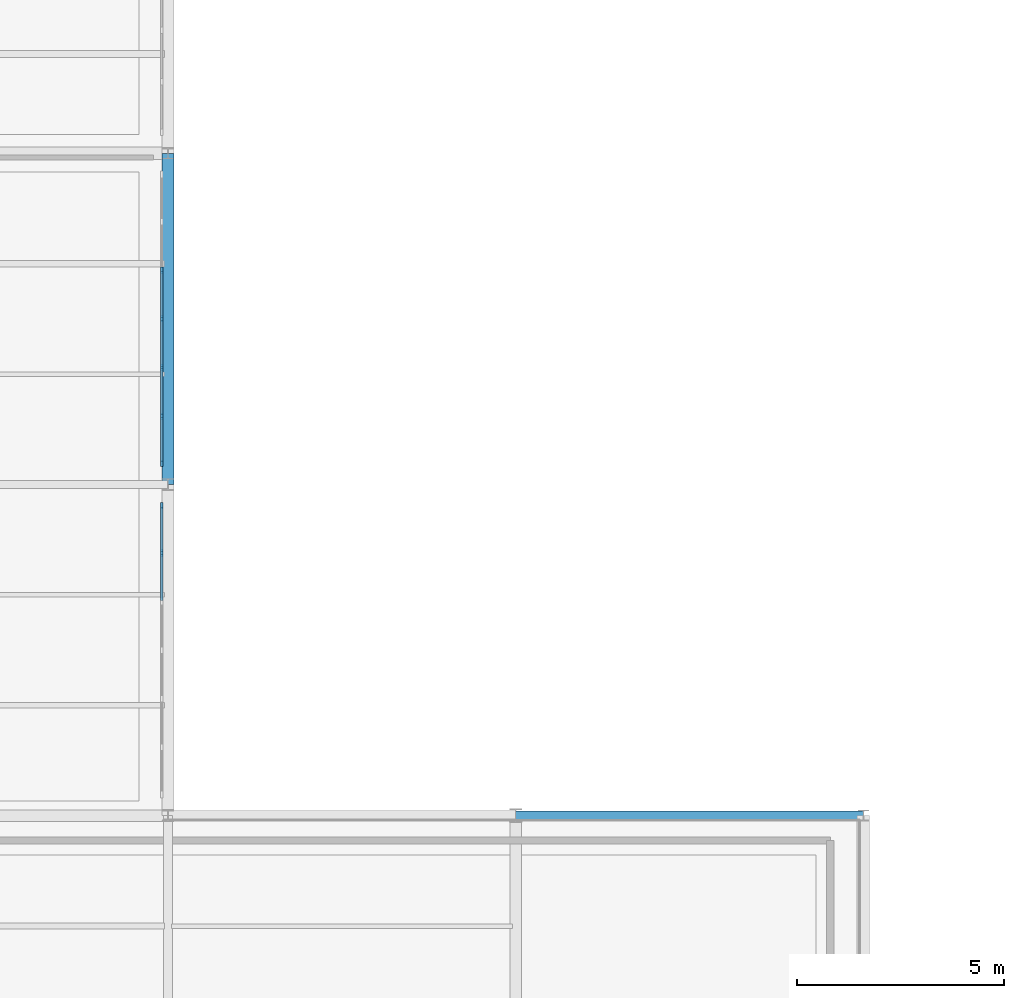
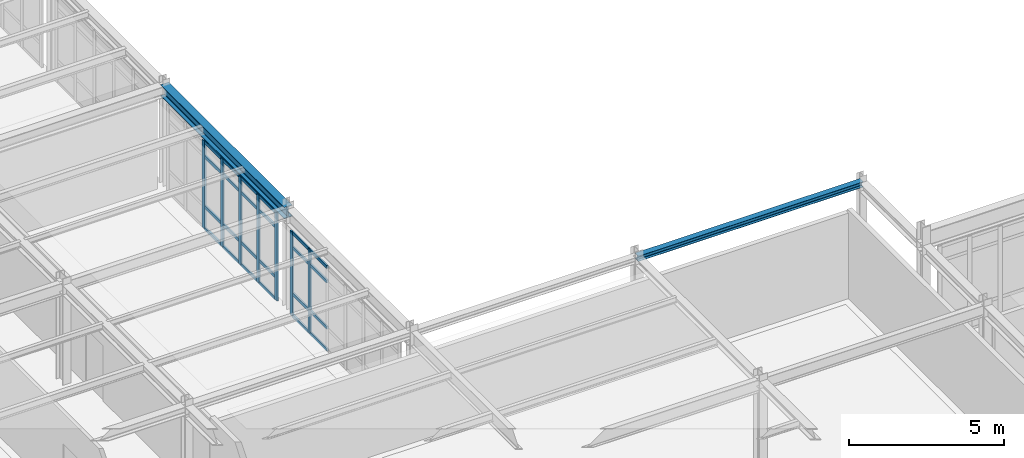
# One storey, part 40 of 90: 31 members, 2 beams, 2 elements without a shape of their own.
"""IFC4 building model written with IfcOpenShell, lengths in metres."""

import ifcopenshell
import ifcopenshell.guid

model = None  # the IFC model being written
_history = None  # IfcOwnerHistory: only IFC2X3 demands one
_inside = {}  # id of a spatial element -> (the spatial element, [elements in it])
_under = {}  # id of a project, library or spatial element -> (it, [spatial elements below it])
_declared = {}  # id of a project -> (the project, [libraries it declares])
_typed = {}  # id of a type object -> (the type object, [elements of that type])
_made_of = {}  # id of a material, layer set ... -> (it, [elements and type objects made of it])


def new_model(schema):
    """Start an empty IFC model of exactly this schema.

    Asked for "IFC4X3", IfcOpenShell would pick the latest addendum, in which some entities
    have other attributes; the version numbers below select the first issue.
    IFC2X3 requires an IfcOwnerHistory on every rooted entity: one is made here for all.
    """
    global model, _history
    if schema == "IFC4X3":
        model = ifcopenshell.file(schema_version=(4, 3, 0, 0))
    else:
        model = ifcopenshell.file(schema=schema)
    _inside.clear()
    _under.clear()
    _declared.clear()
    _typed.clear()
    _made_of.clear()
    _history = None
    if model.schema == "IFC2X3":
        org = make("IfcOrganization", Name="unknown")
        user = make(
            "IfcPersonAndOrganization",
            ThePerson=make("IfcPerson", FamilyName="unknown"),
            TheOrganization=org,
        )
        app = make(
            "IfcApplication",
            ApplicationDeveloper=org,
            Version="unknown",
            ApplicationFullName="unknown",
            ApplicationIdentifier="unknown",
        )
        _history = make(
            "IfcOwnerHistory",
            OwningUser=user,
            OwningApplication=app,
            ChangeAction="ADDED",
            CreationDate=0,
        )
    return model


def make(cls, **values):
    """One entity of the class cls with the attributes given. An attribute that is None is left unset."""
    return model.create_entity(
        cls, **{name: value for name, value in values.items() if value is not None}
    )


def rooted(cls, **values):
    """An entity with a GlobalId (a new one), such as an element, a storey or a relation."""
    return make(cls, GlobalId=ifcopenshell.guid.new(), OwnerHistory=_history, **values)


def si_unit(unit_type, name, prefix=None):
    """IfcSIUnit, for example si_unit("LENGTHUNIT", "METRE", prefix="MILLI")."""
    return make("IfcSIUnit", UnitType=unit_type, Prefix=prefix, Name=name)


def derived_unit(unit_type, elements):
    """IfcDerivedUnit: a product of units, each with its exponent."""
    return make(
        "IfcDerivedUnit",
        Elements=[
            make("IfcDerivedUnitElement", Unit=unit, Exponent=power)
            for unit, power in elements
        ],
        UnitType=unit_type,
    )


def assignment(units):
    """IfcUnitAssignment: the units of a project."""
    return None if units is None else make("IfcUnitAssignment", Units=units)


def point(xyz):
    """IfcCartesianPoint."""
    return None if xyz is None else make("IfcCartesianPoint", Coordinates=xyz)


def direction(xyz):
    """IfcDirection."""
    return None if xyz is None else make("IfcDirection", DirectionRatios=xyz)


def frame(location, z_axis=None, x_axis=None):
    """IfcAxis2Placement3D, a coordinate frame: its origin and axes. An axis left out is left unset."""
    return make(
        "IfcAxis2Placement3D",
        Location=point(location),
        Axis=direction(z_axis),
        RefDirection=direction(x_axis),
    )


def frame_2d(location, x_axis=None):
    """IfcAxis2Placement2D, a coordinate frame in the plane: its origin and x axis."""
    return make(
        "IfcAxis2Placement2D", Location=point(location), RefDirection=direction(x_axis)
    )


def origin():
    """The frame at (0, 0, 0) with its axes left unset."""
    return frame((0.0, 0.0, 0.0))


def origin_2d():
    """The frame at (0, 0) in the plane with its x axis left unset."""
    return frame_2d((0.0, 0.0))


def place(relative_to, where):
    """IfcLocalPlacement: puts the frame where relative to a parent placement (None: the world)."""
    return make(
        "IfcLocalPlacement", PlacementRelTo=relative_to, RelativePlacement=where
    )


def context(
    kind, dimensions, precision=None, world=None, true_north=None, identifier=None
):
    """IfcGeometricRepresentationContext, for example the 3D "Model" context."""
    return make(
        "IfcGeometricRepresentationContext",
        ContextIdentifier=identifier,
        ContextType=kind,
        CoordinateSpaceDimension=dimensions,
        Precision=precision,
        WorldCoordinateSystem=world,
        TrueNorth=true_north,
    )


def subcontext(parent, identifier, kind, view, scale=None):
    """IfcGeometricRepresentationSubContext, for example "Body" below "Model"."""
    return make(
        "IfcGeometricRepresentationSubContext",
        ContextIdentifier=identifier,
        ContextType=kind,
        ParentContext=parent,
        TargetScale=scale,
        TargetView=view,
    )


def project(units=None, contexts=None):
    """IfcProject with its units and contexts."""
    return rooted(
        "IfcProject",
        Name="project",
        RepresentationContexts=contexts,
        UnitsInContext=assignment(units),
    )


def spatial(cls, under=None, at=None, **own):
    """A site, building, storey or space (cls), placed at a placement, below another one or the project."""
    s = rooted(cls, ObjectPlacement=at, **own)
    if under is not None:
        _under.setdefault(under.id(), (under, []))[1].append(s)
    return s


def profile(cls, at=None, kind="AREA", **sizes):
    """A parametric profile (cls). Its sizes go by their IFC names, for example OverallWidth=200.0."""
    return make(cls, ProfileType=kind, Position=at, **sizes)


def rectangle(**sizes):
    """IfcRectangleProfileDef."""
    return profile("IfcRectangleProfileDef", **sizes)


def i_section(**sizes):
    """IfcIShapeProfileDef."""
    return profile("IfcIShapeProfileDef", **sizes)


def extrude(swept, where, along, depth):
    """IfcExtrudedAreaSolid: the profile swept, set in the frame where, extruded along a direction by depth."""
    return make(
        "IfcExtrudedAreaSolid",
        SweptArea=swept,
        Position=where,
        ExtrudedDirection=direction(along),
        Depth=depth,
    )


def shape(context_of_items, identifier, shape_type, items):
    """IfcShapeRepresentation: the items that make up one representation, for example the "Body"."""
    return make(
        "IfcShapeRepresentation",
        ContextOfItems=context_of_items,
        RepresentationIdentifier=identifier,
        RepresentationType=shape_type,
        Items=items,
    )


def material(Name=None, Category=None):
    """IfcMaterial."""
    return make("IfcMaterial", Name=Name, Category=Category)


def layer(
    of_material, thickness, ventilated=None, Name=None, Category=None, Priority=None
):
    """IfcMaterialLayer: one layer of a wall or slab, of a material (None: an air gap)."""
    return make(
        "IfcMaterialLayer",
        Material=of_material,
        LayerThickness=thickness,
        IsVentilated=ventilated,
        Name=Name,
        Category=Category,
        Priority=Priority,
    )


def layer_set(layers, Name=None):
    """IfcMaterialLayerSet."""
    return make("IfcMaterialLayerSet", MaterialLayers=layers, LayerSetName=Name)


def material_profile(
    of_material, cross_section, Name=None, Category=None, Priority=None
):
    """IfcMaterialProfile: a cross section and its material."""
    return make(
        "IfcMaterialProfile",
        Name=Name,
        Material=of_material,
        Profile=cross_section,
        Priority=Priority,
        Category=Category,
    )


def profile_set(profiles, Name=None, composite=None):
    """IfcMaterialProfileSet."""
    return make(
        "IfcMaterialProfileSet",
        Name=Name,
        MaterialProfiles=profiles,
        CompositeProfile=composite,
    )


def made_of(thing, what):
    """Note that an element or type object is made of a material, layer set ...; save() writes the relation."""
    if what is not None:
        _made_of.setdefault(what.id(), (what, []))[1].append(thing)
    return thing


def type_object(cls, material=None, **own):
    """A type object (cls), such as IfcWallType, which elements share."""
    return made_of(rooted(cls, **own), material)


def element(
    cls,
    number,
    at=None,
    inside=None,
    cuts=None,
    type_object=None,
    material=None,
    context=None,
    identifier="Body",
    shape_type=None,
    held_by="IfcProductDefinitionShape",
    body=None,
    shapes=None,
    **own,
):
    """One element of the class cls, such as IfcWall. Its Tag is "e" and its number.

    at: its placement. inside: the storey or other place that contains it. cuts: it is an
    opening in that element (IfcRelVoidsElement). A single representation is given by context,
    identifier, shape_type and body (its items); several are given by shapes. held_by: the class
    of the entity that holds the representations. save() writes the other relations.
    """
    e = rooted(cls, Tag="e%d" % number, ObjectPlacement=at, **own)
    if body is not None:
        shapes = [shape(context, identifier, shape_type, body)]
    if shapes is not None:
        e.Representation = make(held_by, Representations=shapes)
    if inside is not None:
        _inside.setdefault(inside.id(), (inside, []))[1].append(e)
    if cuts is not None:
        rooted(
            "IfcRelVoidsElement", RelatingBuildingElement=cuts, RelatedOpeningElement=e
        )
    if type_object is not None:
        _typed.setdefault(type_object.id(), (type_object, []))[1].append(e)
    return made_of(e, material)


def aggregate(whole, parts):
    """IfcRelAggregates: a whole, such as a stair, and the parts it consists of."""
    return rooted("IfcRelAggregates", RelatingObject=whole, RelatedObjects=parts)


def save(model, path):
    """Write the relations noted so far, then the file.

    IfcRelAggregates (storeys below a building ...), IfcRelContainedInSpatialStructure (elements
    in a storey), IfcRelDefinesByType, IfcRelAssociatesMaterial and IfcRelDeclares: one each for
    every whole, place, type object, material and project.
    """
    for whole, parts in _under.values():
        aggregate(whole, parts)
    for where, things in _inside.values():
        rooted(
            "IfcRelContainedInSpatialStructure",
            RelatedElements=things,
            RelatingStructure=where,
        )
    for kind, things in _typed.values():
        rooted("IfcRelDefinesByType", RelatedObjects=things, RelatingType=kind)
    for what, things in _made_of.values():
        rooted("IfcRelAssociatesMaterial", RelatedObjects=things, RelatingMaterial=what)
    for by, libraries in _declared.values():
        rooted("IfcRelDeclares", RelatingContext=by, RelatedDefinitions=libraries)
    model.write(path)


model = new_model("IFC4")

# Units and contexts
model_context = context("Model", 3, precision=1e-05, world=origin(), true_north=direction((0.0, 1.0)))
body_context = subcontext(model_context, "Body", "Model", "MODEL_VIEW")
ifc_project = project(units=[si_unit("LENGTHUNIT", "METRE"), si_unit("AREAUNIT", "SQUARE_METRE"), si_unit("VOLUMEUNIT", "CUBIC_METRE"), si_unit("PLANEANGLEUNIT", "RADIAN"), si_unit("MASSUNIT", "GRAM", prefix="KILO"), derived_unit("THERMALTRANSMITTANCEUNIT", [(si_unit("POWERUNIT", "WATT"), 1), (si_unit("AREAUNIT", "SQUARE_METRE"), -1), (si_unit("THERMODYNAMICTEMPERATUREUNIT", "KELVIN"), -1)])], contexts=[model_context])

# Site, building, storey
site_placement = place(None, origin())
site = spatial("IfcSite", under=ifc_project, at=site_placement, CompositionType="ELEMENT")
building_placement = place(site_placement, origin())
building = spatial("IfcBuilding", under=site, at=building_placement, Name="Yasenodar Specialist Clinic", CompositionType="ELEMENT")
storey_placement = place(building_placement, frame((0.0, 0.0, 9.0)))
storey = spatial("IfcBuildingStorey", under=building, at=storey_placement, Name="L02", CompositionType="ELEMENT", Elevation=9.0)

# Beams
ifc_material_1 = material(Name="Steel S355", Category="steel")
ifc_material_profile_1 = material_profile(ifc_material_1, i_section(OverallWidth=0.219970703125, OverallDepth=0.2099609375, WebThickness=0.007080078125, FlangeThickness=0.010986328125, FilletRadius=0.01806640625, at=origin_2d()), Name="HEA 220")
ifc_profile_set_1 = profile_set([ifc_material_profile_1], Name="Steel S355")
beam_type_1 = type_object("IfcBeamType", Name="BM-HEA220", PredefinedType="BEAM", material=ifc_profile_set_1)
beam_1_placement = place(storey_placement, frame((25.199951171875, 66.800048828125, 3.844970703125), z_axis=(1.0, 0.0, 0.0), x_axis=(0.0, 1.0, 0.0)))
element("IfcBeam", 1, at=beam_1_placement, inside=storey, type_object=beam_type_1, Name="L02 Primary E-W Girder", PredefinedType="BEAM", context=body_context, shape_type="SweptSolid", body=[
    extrude(i_section(OverallWidth=0.219970703125, OverallDepth=0.2099609375, WebThickness=0.007080078125, FlangeThickness=0.010986328125, FilletRadius=0.01806640625, at=origin_2d()), origin(), (0.0, 0.0, 1.0), 8.400146484375),
])
ifc_material_profile_2 = material_profile(ifc_material_1, i_section(OverallWidth=0.300048828125, OverallDepth=0.449951171875, WebThickness=0.013916015625, FlangeThickness=0.02587890625, FilletRadius=0.027099609375, at=origin_2d()), Name="HEB 450")
ifc_profile_set_2 = profile_set([ifc_material_profile_2], Name="Steel S355")
beam_type_2 = type_object("IfcBeamType", Name="BM-HEB450", PredefinedType="BEAM", material=ifc_profile_set_2)
beam_2_placement = place(storey_placement, frame((16.800048828125, 74.800048828125, 3.72509765625), z_axis=(0.0, 1.0, 0.0), x_axis=(-1.0, 0.0, 0.0)))
element("IfcBeam", 2, at=beam_2_placement, inside=storey, type_object=beam_type_2, Name="L02 Primary N-S Girder", PredefinedType="BEAM", context=body_context, shape_type="SweptSolid", body=[
    extrude(i_section(OverallWidth=0.300048828125, OverallDepth=0.449951171875, WebThickness=0.013916015625, FlangeThickness=0.02587890625, FilletRadius=0.027099609375, at=origin_2d()), origin(), (0.0, 0.0, 1.0), 8.0),
])

# Curtain wall, members
ifc_material_2 = material(Name="Bronze Anodized Aluminium and Triple Low-E Glass", Category="aluminium")
ifc_layer = layer(ifc_material_2, 0.202880859375)
ifc_layer_set = layer_set([ifc_layer], Name="Bronze Anodized Aluminium and Triple Low-E Glass")
curtain_wall_type = type_object("IfcCurtainWallType", Name="CW-SYS-04", PredefinedType="USERDEFINED", material=ifc_layer_set)
curtain_wall_1_placement = place(storey_placement, origin())
curtain_wall_1 = element("IfcCurtainWall", 3, at=curtain_wall_1_placement, inside=storey, type_object=curtain_wall_type, Name="L02 Unitised Curtain Wall 128", ObjectType="UNITISED CURTAIN WALL", PredefinedType="USERDEFINED")
ifc_material_3 = material(Name="Bronze Anodized Aluminium", Category="aluminium")
ifc_material_profile_3 = material_profile(ifc_material_3, rectangle(XDim=0.06005859375, YDim=0.159912109375, at=origin_2d()), Name="CW-MULL 60x160")
ifc_profile_set_3 = profile_set([ifc_material_profile_3], Name="Bronze Anodized Aluminium")
member_type_1 = type_object("IfcMemberType", Name="CW-MULL-160", PredefinedType="MULLION", material=ifc_profile_set_3)
member_1_placement = place(storey_placement, frame((16.64990234375, 79.973388671875, 0.0), z_axis=(0.0, 0.0, 1.0), x_axis=(1.0, 0.0, 0.0)))
member_1 = element("IfcMember", 4, at=member_1_placement, type_object=member_type_1, Name="CW-04 mullion 3", PredefinedType="MULLION", context=body_context, shape_type="SweptSolid", body=[
    extrude(rectangle(XDim=0.06005859375, YDim=0.159912109375, at=origin_2d()), origin(), (0.0, 0.0, 1.0), 3.47802734375),
])
member_2_placement = place(storey_placement, frame((16.64990234375, 78.800048828125, 0.0), z_axis=(0.0, 0.0, 1.0), x_axis=(1.0, 0.0, 0.0)))
member_2 = element("IfcMember", 5, at=member_2_placement, type_object=member_type_1, Name="CW-04 mullion 4", PredefinedType="MULLION", context=body_context, shape_type="SweptSolid", body=[
    extrude(rectangle(XDim=0.06005859375, YDim=0.159912109375, at=origin_2d()), origin(), (0.0, 0.0, 1.0), 3.47802734375),
])
member_3_placement = place(storey_placement, frame((16.64990234375, 77.626708984375, 0.0), z_axis=(0.0, 0.0, 1.0), x_axis=(1.0, 0.0, 0.0)))
member_3 = element("IfcMember", 6, at=member_3_placement, type_object=member_type_1, Name="CW-04 mullion 5", PredefinedType="MULLION", context=body_context, shape_type="SweptSolid", body=[
    extrude(rectangle(XDim=0.06005859375, YDim=0.159912109375, at=origin_2d()), origin(), (0.0, 0.0, 1.0), 3.47802734375),
])
member_4_placement = place(storey_placement, frame((16.64990234375, 76.453369140625, 0.0), z_axis=(0.0, 0.0, 1.0), x_axis=(1.0, 0.0, 0.0)))
member_4 = element("IfcMember", 7, at=member_4_placement, type_object=member_type_1, Name="CW-04 mullion 6", PredefinedType="MULLION", context=body_context, shape_type="SweptSolid", body=[
    extrude(rectangle(XDim=0.06005859375, YDim=0.159912109375, at=origin_2d()), origin(), (0.0, 0.0, 1.0), 3.47802734375),
])
member_5_placement = place(storey_placement, frame((16.64990234375, 75.31005859375, 0.0), z_axis=(0.0, 0.0, 1.0), x_axis=(1.0, 0.0, 0.0)))
member_5 = element("IfcMember", 8, at=member_5_placement, type_object=member_type_1, Name="CW-04 mullion 7", PredefinedType="MULLION", context=body_context, shape_type="SweptSolid", body=[
    extrude(rectangle(XDim=0.06005859375, YDim=0.159912109375, at=origin_2d()), origin(), (0.0, 0.0, 1.0), 3.47802734375),
])

curtain_wall_2_placement = place(storey_placement, origin())
curtain_wall_2 = element("IfcCurtainWall", 9, at=curtain_wall_2_placement, inside=storey, type_object=curtain_wall_type, Name="L02 Unitised Curtain Wall 129", ObjectType="UNITISED CURTAIN WALL", PredefinedType="USERDEFINED")
member_6_placement = place(storey_placement, frame((16.64990234375, 74.2900390625, 0.0), z_axis=(0.0, 0.0, 1.0), x_axis=(1.0, 0.0, 0.0)))
member_6 = element("IfcMember", 10, at=member_6_placement, type_object=member_type_1, Name="CW-04 mullion 1", PredefinedType="MULLION", context=body_context, shape_type="SweptSolid", body=[
    extrude(rectangle(XDim=0.06005859375, YDim=0.159912109375, at=origin_2d()), origin(), (0.0, 0.0, 1.0), 3.327880859375),
])
member_7_placement = place(storey_placement, frame((16.64990234375, 73.146728515625, 0.0), z_axis=(0.0, 0.0, 1.0), x_axis=(1.0, 0.0, 0.0)))
member_7 = element("IfcMember", 11, at=member_7_placement, type_object=member_type_1, Name="CW-04 mullion 2", PredefinedType="MULLION", context=body_context, shape_type="SweptSolid", body=[
    extrude(rectangle(XDim=0.06005859375, YDim=0.159912109375, at=origin_2d()), origin(), (0.0, 0.0, 1.0), 3.327880859375),
])

# Member
ifc_material_profile_4 = material_profile(ifc_material_3, rectangle(XDim=0.06005859375, YDim=0.1201171875, at=origin_2d()), Name="CW-TRAN 60x120")
ifc_profile_set_4 = profile_set([ifc_material_profile_4], Name="Bronze Anodized Aluminium")
member_type_2 = type_object("IfcMemberType", Name="CW-TRAN-120", PredefinedType="USERDEFINED", material=ifc_profile_set_4)
member_8_placement = place(storey_placement, frame((16.64990234375, 79.943359375, 0.030029296875), z_axis=(0.0, -1.0, 0.0), x_axis=(1.0, 0.0, 0.0)))
member_8 = element("IfcMember", 12, at=member_8_placement, type_object=member_type_2, Name="CW-04 transom 3.1", ObjectType="TRANSOM", PredefinedType="USERDEFINED", context=body_context, shape_type="SweptSolid", body=[
    extrude(rectangle(XDim=0.06005859375, YDim=0.1201171875, at=origin_2d()), origin(), (0.0, 0.0, 1.0), 1.11328125),
])

member_9_placement = place(storey_placement, frame((16.64990234375, 79.943359375, 0.89990234375), z_axis=(0.0, -1.0, 0.0), x_axis=(1.0, 0.0, 0.0)))
member_9 = element("IfcMember", 13, at=member_9_placement, type_object=member_type_2, Name="CW-04 transom 3.2", ObjectType="TRANSOM", PredefinedType="USERDEFINED", context=body_context, shape_type="SweptSolid", body=[
    extrude(rectangle(XDim=0.06005859375, YDim=0.1201171875, at=origin_2d()), origin(), (0.0, 0.0, 1.0), 1.11328125),
])

member_10_placement = place(storey_placement, frame((16.64990234375, 79.943359375, 2.8779296875), z_axis=(0.0, -1.0, 0.0), x_axis=(1.0, 0.0, 0.0)))
member_10 = element("IfcMember", 14, at=member_10_placement, type_object=member_type_2, Name="CW-04 transom 3.3", ObjectType="TRANSOM", PredefinedType="USERDEFINED", context=body_context, shape_type="SweptSolid", body=[
    extrude(rectangle(XDim=0.06005859375, YDim=0.1201171875, at=origin_2d()), origin(), (0.0, 0.0, 1.0), 1.11328125),
])

member_11_placement = place(storey_placement, frame((16.64990234375, 79.943359375, 3.447998046875), z_axis=(0.0, -1.0, 0.0), x_axis=(1.0, 0.0, 0.0)))
member_11 = element("IfcMember", 15, at=member_11_placement, type_object=member_type_2, Name="CW-04 transom 3.4", ObjectType="TRANSOM", PredefinedType="USERDEFINED", context=body_context, shape_type="SweptSolid", body=[
    extrude(rectangle(XDim=0.06005859375, YDim=0.1201171875, at=origin_2d()), origin(), (0.0, 0.0, 1.0), 1.11328125),
])

member_12_placement = place(storey_placement, frame((16.64990234375, 78.77001953125, 0.030029296875), z_axis=(0.0, -1.0, 0.0), x_axis=(1.0, 0.0, 0.0)))
member_12 = element("IfcMember", 16, at=member_12_placement, type_object=member_type_2, Name="CW-04 transom 4.1", ObjectType="TRANSOM", PredefinedType="USERDEFINED", context=body_context, shape_type="SweptSolid", body=[
    extrude(rectangle(XDim=0.06005859375, YDim=0.1201171875, at=origin_2d()), origin(), (0.0, 0.0, 1.0), 1.11328125),
])

member_13_placement = place(storey_placement, frame((16.64990234375, 78.77001953125, 0.89990234375), z_axis=(0.0, -1.0, 0.0), x_axis=(1.0, 0.0, 0.0)))
member_13 = element("IfcMember", 17, at=member_13_placement, type_object=member_type_2, Name="CW-04 transom 4.2", ObjectType="TRANSOM", PredefinedType="USERDEFINED", context=body_context, shape_type="SweptSolid", body=[
    extrude(rectangle(XDim=0.06005859375, YDim=0.1201171875, at=origin_2d()), origin(), (0.0, 0.0, 1.0), 1.11328125),
])

member_14_placement = place(storey_placement, frame((16.64990234375, 78.77001953125, 2.8779296875), z_axis=(0.0, -1.0, 0.0), x_axis=(1.0, 0.0, 0.0)))
member_14 = element("IfcMember", 18, at=member_14_placement, type_object=member_type_2, Name="CW-04 transom 4.3", ObjectType="TRANSOM", PredefinedType="USERDEFINED", context=body_context, shape_type="SweptSolid", body=[
    extrude(rectangle(XDim=0.06005859375, YDim=0.1201171875, at=origin_2d()), origin(), (0.0, 0.0, 1.0), 1.11328125),
])

member_15_placement = place(storey_placement, frame((16.64990234375, 78.77001953125, 3.447998046875), z_axis=(0.0, -1.0, 0.0), x_axis=(1.0, 0.0, 0.0)))
member_15 = element("IfcMember", 19, at=member_15_placement, type_object=member_type_2, Name="CW-04 transom 4.4", ObjectType="TRANSOM", PredefinedType="USERDEFINED", context=body_context, shape_type="SweptSolid", body=[
    extrude(rectangle(XDim=0.06005859375, YDim=0.1201171875, at=origin_2d()), origin(), (0.0, 0.0, 1.0), 1.11328125),
])

member_16_placement = place(storey_placement, frame((16.64990234375, 77.5966796875, 0.030029296875), z_axis=(0.0, -1.0, 0.0), x_axis=(1.0, 0.0, 0.0)))
member_16 = element("IfcMember", 20, at=member_16_placement, type_object=member_type_2, Name="CW-04 transom 5.1", ObjectType="TRANSOM", PredefinedType="USERDEFINED", context=body_context, shape_type="SweptSolid", body=[
    extrude(rectangle(XDim=0.06005859375, YDim=0.1201171875, at=origin_2d()), origin(), (0.0, 0.0, 1.0), 1.11328125),
])

member_17_placement = place(storey_placement, frame((16.64990234375, 77.5966796875, 0.89990234375), z_axis=(0.0, -1.0, 0.0), x_axis=(1.0, 0.0, 0.0)))
member_17 = element("IfcMember", 21, at=member_17_placement, type_object=member_type_2, Name="CW-04 transom 5.2", ObjectType="TRANSOM", PredefinedType="USERDEFINED", context=body_context, shape_type="SweptSolid", body=[
    extrude(rectangle(XDim=0.06005859375, YDim=0.1201171875, at=origin_2d()), origin(), (0.0, 0.0, 1.0), 1.11328125),
])

member_18_placement = place(storey_placement, frame((16.64990234375, 77.5966796875, 2.8779296875), z_axis=(0.0, -1.0, 0.0), x_axis=(1.0, 0.0, 0.0)))
member_18 = element("IfcMember", 22, at=member_18_placement, type_object=member_type_2, Name="CW-04 transom 5.3", ObjectType="TRANSOM", PredefinedType="USERDEFINED", context=body_context, shape_type="SweptSolid", body=[
    extrude(rectangle(XDim=0.06005859375, YDim=0.1201171875, at=origin_2d()), origin(), (0.0, 0.0, 1.0), 1.11328125),
])

member_19_placement = place(storey_placement, frame((16.64990234375, 77.5966796875, 3.447998046875), z_axis=(0.0, -1.0, 0.0), x_axis=(1.0, 0.0, 0.0)))
member_19 = element("IfcMember", 23, at=member_19_placement, type_object=member_type_2, Name="CW-04 transom 5.4", ObjectType="TRANSOM", PredefinedType="USERDEFINED", context=body_context, shape_type="SweptSolid", body=[
    extrude(rectangle(XDim=0.06005859375, YDim=0.1201171875, at=origin_2d()), origin(), (0.0, 0.0, 1.0), 1.11328125),
])

member_20_placement = place(storey_placement, frame((16.64990234375, 76.42333984375, 0.030029296875), z_axis=(0.0, -1.0, 0.0), x_axis=(1.0, 0.0, 0.0)))
member_20 = element("IfcMember", 24, at=member_20_placement, type_object=member_type_2, Name="CW-04 transom 6.1", ObjectType="TRANSOM", PredefinedType="USERDEFINED", context=body_context, shape_type="SweptSolid", body=[
    extrude(rectangle(XDim=0.06005859375, YDim=0.1201171875, at=origin_2d()), origin(), (0.0, 0.0, 1.0), 1.083251953125),
])

member_21_placement = place(storey_placement, frame((16.64990234375, 76.42333984375, 0.89990234375), z_axis=(0.0, -1.0, 0.0), x_axis=(1.0, 0.0, 0.0)))
member_21 = element("IfcMember", 25, at=member_21_placement, type_object=member_type_2, Name="CW-04 transom 6.2", ObjectType="TRANSOM", PredefinedType="USERDEFINED", context=body_context, shape_type="SweptSolid", body=[
    extrude(rectangle(XDim=0.06005859375, YDim=0.1201171875, at=origin_2d()), origin(), (0.0, 0.0, 1.0), 1.083251953125),
])

member_22_placement = place(storey_placement, frame((16.64990234375, 76.42333984375, 2.8779296875), z_axis=(0.0, -1.0, 0.0), x_axis=(1.0, 0.0, 0.0)))
member_22 = element("IfcMember", 26, at=member_22_placement, type_object=member_type_2, Name="CW-04 transom 6.3", ObjectType="TRANSOM", PredefinedType="USERDEFINED", context=body_context, shape_type="SweptSolid", body=[
    extrude(rectangle(XDim=0.06005859375, YDim=0.1201171875, at=origin_2d()), origin(), (0.0, 0.0, 1.0), 1.083251953125),
])

member_23_placement = place(storey_placement, frame((16.64990234375, 76.42333984375, 3.447998046875), z_axis=(0.0, -1.0, 0.0), x_axis=(1.0, 0.0, 0.0)))
member_23 = element("IfcMember", 27, at=member_23_placement, type_object=member_type_2, Name="CW-04 transom 6.4", ObjectType="TRANSOM", PredefinedType="USERDEFINED", context=body_context, shape_type="SweptSolid", body=[
    extrude(rectangle(XDim=0.06005859375, YDim=0.1201171875, at=origin_2d()), origin(), (0.0, 0.0, 1.0), 1.083251953125),
])

aggregate(curtain_wall_1, [member_1, member_2, member_3, member_4, member_5, member_8, member_9, member_10, member_11, member_12, member_13, member_14, member_15, member_16, member_17, member_18, member_19, member_20, member_21, member_22, member_23])

member_24_placement = place(storey_placement, frame((16.64990234375, 74.260009765625, 0.030029296875), z_axis=(0.0, -1.0, 0.0), x_axis=(1.0, 0.0, 0.0)))
member_24 = element("IfcMember", 28, at=member_24_placement, type_object=member_type_2, Name="CW-04 transom 1.1", ObjectType="TRANSOM", PredefinedType="USERDEFINED", context=body_context, shape_type="SweptSolid", body=[
    extrude(rectangle(XDim=0.06005859375, YDim=0.1201171875, at=origin_2d()), origin(), (0.0, 0.0, 1.0), 1.083251953125),
])

member_25_placement = place(storey_placement, frame((16.64990234375, 74.260009765625, 0.89990234375), z_axis=(0.0, -1.0, 0.0), x_axis=(1.0, 0.0, 0.0)))
member_25 = element("IfcMember", 29, at=member_25_placement, type_object=member_type_2, Name="CW-04 transom 1.2", ObjectType="TRANSOM", PredefinedType="USERDEFINED", context=body_context, shape_type="SweptSolid", body=[
    extrude(rectangle(XDim=0.06005859375, YDim=0.1201171875, at=origin_2d()), origin(), (0.0, 0.0, 1.0), 1.083251953125),
])

member_26_placement = place(storey_placement, frame((16.64990234375, 74.260009765625, 2.72802734375), z_axis=(0.0, -1.0, 0.0), x_axis=(1.0, 0.0, 0.0)))
member_26 = element("IfcMember", 30, at=member_26_placement, type_object=member_type_2, Name="CW-04 transom 1.3", ObjectType="TRANSOM", PredefinedType="USERDEFINED", context=body_context, shape_type="SweptSolid", body=[
    extrude(rectangle(XDim=0.06005859375, YDim=0.1201171875, at=origin_2d()), origin(), (0.0, 0.0, 1.0), 1.083251953125),
])

member_27_placement = place(storey_placement, frame((16.64990234375, 74.260009765625, 3.298095703125), z_axis=(0.0, -1.0, 0.0), x_axis=(1.0, 0.0, 0.0)))
member_27 = element("IfcMember", 31, at=member_27_placement, type_object=member_type_2, Name="CW-04 transom 1.4", ObjectType="TRANSOM", PredefinedType="USERDEFINED", context=body_context, shape_type="SweptSolid", body=[
    extrude(rectangle(XDim=0.06005859375, YDim=0.1201171875, at=origin_2d()), origin(), (0.0, 0.0, 1.0), 1.083251953125),
])

member_28_placement = place(storey_placement, frame((16.64990234375, 73.11669921875, 0.030029296875), z_axis=(0.0, -1.0, 0.0), x_axis=(1.0, 0.0, 0.0)))
member_28 = element("IfcMember", 32, at=member_28_placement, type_object=member_type_2, Name="CW-04 transom 2.1", ObjectType="TRANSOM", PredefinedType="USERDEFINED", context=body_context, shape_type="SweptSolid", body=[
    extrude(rectangle(XDim=0.06005859375, YDim=0.1201171875, at=origin_2d()), origin(), (0.0, 0.0, 1.0), 1.11328125),
])

member_29_placement = place(storey_placement, frame((16.64990234375, 73.11669921875, 0.89990234375), z_axis=(0.0, -1.0, 0.0), x_axis=(1.0, 0.0, 0.0)))
member_29 = element("IfcMember", 33, at=member_29_placement, type_object=member_type_2, Name="CW-04 transom 2.2", ObjectType="TRANSOM", PredefinedType="USERDEFINED", context=body_context, shape_type="SweptSolid", body=[
    extrude(rectangle(XDim=0.06005859375, YDim=0.1201171875, at=origin_2d()), origin(), (0.0, 0.0, 1.0), 1.11328125),
])

member_30_placement = place(storey_placement, frame((16.64990234375, 73.11669921875, 2.72802734375), z_axis=(0.0, -1.0, 0.0), x_axis=(1.0, 0.0, 0.0)))
member_30 = element("IfcMember", 34, at=member_30_placement, type_object=member_type_2, Name="CW-04 transom 2.3", ObjectType="TRANSOM", PredefinedType="USERDEFINED", context=body_context, shape_type="SweptSolid", body=[
    extrude(rectangle(XDim=0.06005859375, YDim=0.1201171875, at=origin_2d()), origin(), (0.0, 0.0, 1.0), 1.11328125),
])

member_31_placement = place(storey_placement, frame((16.64990234375, 73.11669921875, 3.298095703125), z_axis=(0.0, -1.0, 0.0), x_axis=(1.0, 0.0, 0.0)))
member_31 = element("IfcMember", 35, at=member_31_placement, type_object=member_type_2, Name="CW-04 transom 2.4", ObjectType="TRANSOM", PredefinedType="USERDEFINED", context=body_context, shape_type="SweptSolid", body=[
    extrude(rectangle(XDim=0.06005859375, YDim=0.1201171875, at=origin_2d()), origin(), (0.0, 0.0, 1.0), 1.11328125),
])

aggregate(curtain_wall_2, [member_6, member_7, member_24, member_25, member_26, member_27, member_28, member_29, member_30, member_31])

save(model, "model.ifc")
